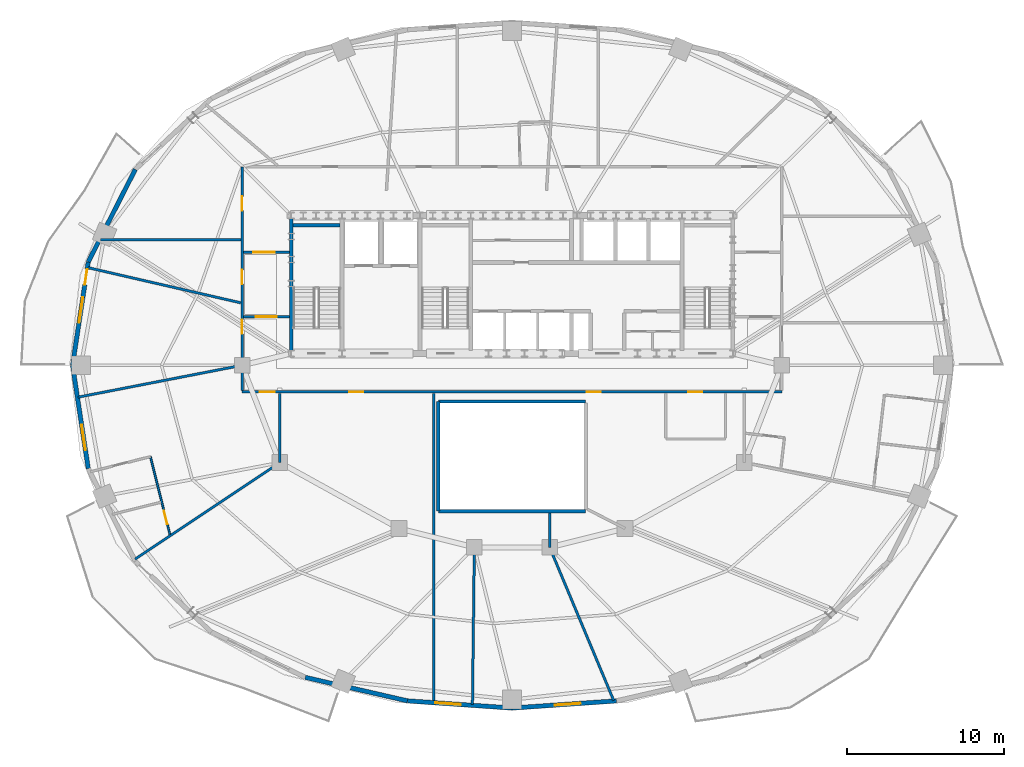
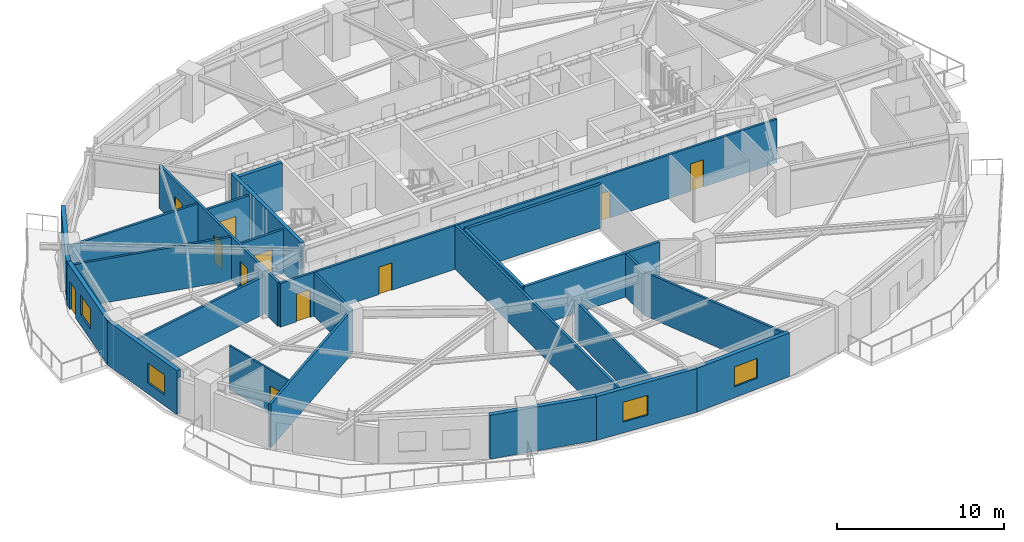
# One storey, part 4 of 10: 25 walls, 11 doors, 4 windows, 15 openings.
"""IFC4 building model written with IfcOpenShell, lengths in metres."""

from ifc_helpers import new_model, si_unit, direction, frame, frame_2d, origin, place, context, subcontext, project, spatial, rectangle, extrude, material, layer, layer_set, type_object, element, fill, save


model = new_model("IFC4")

# Units and contexts
model_context = context("Model", 3, precision=1e-05, world=origin(), true_north=direction((0.0, 1.0)))
body_context = subcontext(model_context, "Body", "Model", "MODEL_VIEW")
ifc_project = project(units=[si_unit("LENGTHUNIT", "METRE"), si_unit("AREAUNIT", "SQUARE_METRE"), si_unit("VOLUMEUNIT", "CUBIC_METRE"), si_unit("PLANEANGLEUNIT", "RADIAN"), si_unit("MASSUNIT", "GRAM", prefix="KILO")], contexts=[model_context])

# Site, building, storey
site_placement = place(None, origin())
site = spatial("IfcSite", under=ifc_project, at=site_placement, CompositionType="ELEMENT")
building_placement = place(site_placement, origin())
building = spatial("IfcBuilding", under=site, at=building_placement, Name="Haldorwick Loom Tower", CompositionType="ELEMENT")
storey_placement = place(building_placement, frame((0.0, 0.0, 193.449951171875)))
storey = spatial("IfcBuildingStorey", under=building, at=storey_placement, Name="L52", CompositionType="ELEMENT", Elevation=193.449951171875)

# Wall
ifc_material_1 = material(Name="Pressed Clay Face Brick and Insulated Masonry Backup Assembly", Category="masonry")
ifc_layer_1 = layer(ifc_material_1, 0.280029296875, Name="Pressed Clay Face Brick and Insulated Masonry Backup Assembly", Category="masonry")
ifc_layer_set_1 = layer_set([ifc_layer_1], Name="Pressed Clay Face Brick and Insulated Masonry Backup Assembly")
wall_type_1 = type_object("IfcWallType", Name="ARC-WL-EXT280", PredefinedType="STANDARD", material=ifc_layer_set_1)
wall_1_placement = place(storey_placement, frame((11.994384765625, 38.4853515625, 0.0), z_axis=(0.0, 0.0, 1.0), x_axis=(-0.453032066879, -0.89149422117, 0.0)))
element("IfcWall", 1, at=wall_1_placement, inside=storey, type_object=wall_type_1, Name="L52 Brick Pier and Spandrel Wall 11", PredefinedType="STANDARD", context=body_context, shape_type="SweptSolid", body=[
    extrude(rectangle(XDim=6.618896484375, YDim=0.280029296875, at=frame_2d((3.3095703125, 0.0))), origin(), (0.0, 0.0, 1.0), 2.64111328125),
])

# Wall, openings, door, window
wall_2_placement = place(storey_placement, frame((8.995849609375, 32.584716796875, 0.0), z_axis=(0.0, 0.0, 1.0), x_axis=(-0.150467697578, -0.988614926038, 0.0)))
wall_2 = element("IfcWall", 2, at=wall_2_placement, inside=storey, type_object=wall_type_1, Name="L52 Brick Pier and Spandrel Wall 12", PredefinedType="STANDARD", context=body_context, shape_type="SweptSolid", body=[
    extrude(rectangle(XDim=6.66064453125, YDim=0.280029296875, at=frame_2d((3.330322265625, 0.0))), origin(), (0.0, 0.0, 1.0), 3.2099609375),
])
opening_1_placement = place(wall_2_placement, frame((0.4599609375, 0.0, 0.0)))
opening_1 = element("IfcOpeningElement", 3, at=opening_1_placement, cuts=wall_2, Name="Opening D-BL10", PredefinedType="OPENING", context=body_context, shape_type="SweptSolid", body=[
    extrude(rectangle(XDim=1.0, YDim=2.0400390625, at=frame_2d((0.5, 1.02001953125))), frame((0.0, 0.14990234375, 0.0), z_axis=(0.0, -1.0, 0.0), x_axis=(1.0, 0.0, 0.0)), (0.0, 0.0, 1.0), 0.300048828125),
])
opening_2_placement = place(wall_2_placement, frame((2.2646484375, 0.0, 0.800048828125)))
opening_2 = element("IfcOpeningElement", 4, at=opening_2_placement, cuts=wall_2, Name="Opening W-01B", PredefinedType="OPENING", context=body_context, shape_type="SweptSolid", body=[
    extrude(rectangle(XDim=1.64990234375, YDim=1.449951171875, at=frame_2d((0.824951171875, 0.72509765625))), frame((0.0, 0.14990234375, 0.0), z_axis=(0.0, -1.0, 0.0), x_axis=(1.0, 0.0, 0.0)), (0.0, 0.0, 1.0), 0.300048828125),
])
ifc_material_2 = material(Name="Thermally Broken Anodized Aluminium Curtain Wall Framing", Category="aluminium")
door_type_1 = type_object("IfcDoorType", Name="ARC-DR-BAL100", OperationType="NOTDEFINED", PredefinedType="DOOR", material=ifc_material_2)
door_1_placement = place(opening_1_placement, origin())
door_1 = element("IfcDoor", 5, at=door_1_placement, inside=storey, type_object=door_type_1, Name="L52 Outdoor Terrace Door SLB-L52-BAL_WNW", OperationType="SINGLE_SWING_RIGHT", OverallHeight=2.0400390625, OverallWidth=1.0, PredefinedType="DOOR", context=body_context, shape_type="SweptSolid", body=[
    extrude(rectangle(XDim=1.0, YDim=2.0400390625, at=frame_2d((0.5, 1.02001953125))), frame((0.0, 0.02490234375, 0.0), z_axis=(0.0, -1.0, 0.0), x_axis=(1.0, 0.0, 0.0)), (0.0, 0.0, 1.0), 0.050048828125),
])
fill(opening_1, door_1)
ifc_material_3 = material(Name="Triple-Glazed Low-E Argon Insulated Glazing Unit", Category="glass")
window_type = type_object("IfcWindowType", Name="ARC-WIN-W165", PartitioningType="SINGLE_PANEL", PredefinedType="WINDOW", material=ifc_material_3)
window_1_placement = place(opening_2_placement, origin())
window_1 = element("IfcWindow", 6, at=window_1_placement, inside=storey, type_object=window_type, Name="L52 Deep-Set Zone 7A Window 12", OverallHeight=1.449951171875, OverallWidth=1.64990234375, PartitioningType="SINGLE_PANEL", PredefinedType="WINDOW", context=body_context, shape_type="SweptSolid", body=[
    extrude(rectangle(XDim=1.64990234375, YDim=1.449951171875, at=frame_2d((0.824951171875, 0.72509765625))), frame((0.0, 0.030029296875, 0.0), z_axis=(0.0, -1.0, 0.0), x_axis=(1.0, 0.0, 0.0)), (0.0, 0.0, 1.0), 0.06005859375),
])
fill(opening_2, window_1)

# Wall, opening, window
wall_3_placement = place(storey_placement, frame((7.99365234375, 26.0, 0.0), z_axis=(0.0, 0.0, 1.0), x_axis=(0.150467697578, -0.988614926038, 0.0)))
wall_3 = element("IfcWall", 7, at=wall_3_placement, inside=storey, type_object=wall_type_1, Name="L52 Brick Pier and Spandrel Wall 13", PredefinedType="STANDARD", context=body_context, shape_type="SweptSolid", body=[
    extrude(rectangle(XDim=6.66064453125, YDim=0.280029296875, at=frame_2d((3.330322265625, 0.0))), origin(), (0.0, 0.0, 1.0), 3.2099609375),
])
opening_3_placement = place(wall_3_placement, frame((3.83740234375, 0.0, 0.800048828125)))
opening_3 = element("IfcOpeningElement", 8, at=opening_3_placement, cuts=wall_3, Name="Opening W-01B", PredefinedType="OPENING", context=body_context, shape_type="SweptSolid", body=[
    extrude(rectangle(XDim=1.64990234375, YDim=1.449951171875, at=frame_2d((0.824951171875, 0.72509765625))), frame((0.0, 0.14990234375, 0.0), z_axis=(0.0, -1.0, 0.0), x_axis=(1.0, 0.0, 0.0)), (0.0, 0.0, 1.0), 0.300048828125),
])
window_2_placement = place(opening_3_placement, origin())
window_2 = element("IfcWindow", 9, at=window_2_placement, inside=storey, type_object=window_type, Name="L52 Deep-Set Zone 7A Window 13", OverallHeight=1.449951171875, OverallWidth=1.64990234375, PartitioningType="SINGLE_PANEL", PredefinedType="WINDOW", context=body_context, shape_type="SweptSolid", body=[
    extrude(rectangle(XDim=1.64990234375, YDim=1.449951171875, at=frame_2d((0.824951171875, 0.72509765625))), frame((0.0, 0.030029296875, 0.0), z_axis=(0.0, -1.0, 0.0), x_axis=(1.0, 0.0, 0.0)), (0.0, 0.0, 1.0), 0.06005859375),
])
fill(opening_3, window_2)

# Wall
wall_4_placement = place(storey_placement, frame((22.82861328125, 6.109130859375, 0.0), z_axis=(0.0, 0.0, 1.0), x_axis=(0.974557343474, -0.224138315065, 0.0)))
element("IfcWall", 10, at=wall_4_placement, inside=storey, type_object=wall_type_1, Name="L52 Brick Pier and Spandrel Wall 17", PredefinedType="STANDARD", context=body_context, shape_type="SweptSolid", body=[
    extrude(rectangle(XDim=6.676025390625, YDim=0.280029296875, at=frame_2d((3.337890625, 0.0))), origin(), (0.0, 0.0, 1.0), 3.2099609375),
])

# Wall, opening, window
wall_5_placement = place(storey_placement, frame((29.334716796875, 4.61279296875, 0.0), z_axis=(0.0, 0.0, 1.0), x_axis=(0.99764992135, -0.068517402386, 0.0)))
wall_5 = element("IfcWall", 11, at=wall_5_placement, inside=storey, type_object=wall_type_1, Name="L52 Brick Pier and Spandrel Wall 18", PredefinedType="STANDARD", context=body_context, shape_type="SweptSolid", body=[
    extrude(rectangle(XDim=6.680908203125, YDim=0.280029296875, at=frame_2d((3.34033203125, 0.0))), origin(), (0.0, 0.0, 1.0), 3.2099609375),
])
opening_4_placement = place(wall_5_placement, frame((1.7705078125, 0.0, 0.800048828125)))
opening_4 = element("IfcOpeningElement", 12, at=opening_4_placement, cuts=wall_5, Name="Opening W-01B", PredefinedType="OPENING", context=body_context, shape_type="SweptSolid", body=[
    extrude(rectangle(XDim=1.64990234375, YDim=1.449951171875, at=frame_2d((0.824951171875, 0.72509765625))), frame((0.0, 0.14990234375, 0.0), z_axis=(0.0, -1.0, 0.0), x_axis=(1.0, 0.0, 0.0)), (0.0, 0.0, 1.0), 0.300048828125),
])
window_3_placement = place(opening_4_placement, origin())
window_3 = element("IfcWindow", 13, at=window_3_placement, inside=storey, type_object=window_type, Name="L52 Deep-Set Zone 7A Window 18", OverallHeight=1.449951171875, OverallWidth=1.64990234375, PartitioningType="SINGLE_PANEL", PredefinedType="WINDOW", context=body_context, shape_type="SweptSolid", body=[
    extrude(rectangle(XDim=1.64990234375, YDim=1.449951171875, at=frame_2d((0.824951171875, 0.72509765625))), frame((0.0, 0.030029296875, 0.0), z_axis=(0.0, -1.0, 0.0), x_axis=(1.0, 0.0, 0.0)), (0.0, 0.0, 1.0), 0.06005859375),
])
fill(opening_4, window_3)

wall_6_placement = place(storey_placement, frame((36.0, 4.155029296875, 0.0), z_axis=(0.0, 0.0, 1.0), x_axis=(0.99764992135, 0.068517402386, 0.0)))
wall_6 = element("IfcWall", 14, at=wall_6_placement, inside=storey, type_object=wall_type_1, Name="L52 Brick Pier and Spandrel Wall 19", PredefinedType="STANDARD", context=body_context, shape_type="SweptSolid", body=[
    extrude(rectangle(XDim=6.680908203125, YDim=0.280029296875, at=frame_2d((3.34033203125, 0.0))), origin(), (0.0, 0.0, 1.0), 3.2099609375),
])
opening_5_placement = place(wall_6_placement, frame((2.72412109375, 0.0, 0.800048828125)))
opening_5 = element("IfcOpeningElement", 15, at=opening_5_placement, cuts=wall_6, Name="Opening W-01B", PredefinedType="OPENING", context=body_context, shape_type="SweptSolid", body=[
    extrude(rectangle(XDim=1.64990234375, YDim=1.449951171875, at=frame_2d((0.824951171875, 0.72509765625))), frame((0.0, 0.14990234375, 0.0), z_axis=(0.0, -1.0, 0.0), x_axis=(1.0, 0.0, 0.0)), (0.0, 0.0, 1.0), 0.300048828125),
])
window_4_placement = place(opening_5_placement, origin())
window_4 = element("IfcWindow", 16, at=window_4_placement, inside=storey, type_object=window_type, Name="L52 Deep-Set Zone 7A Window 19", OverallHeight=1.449951171875, OverallWidth=1.64990234375, PartitioningType="SINGLE_PANEL", PredefinedType="WINDOW", context=body_context, shape_type="SweptSolid", body=[
    extrude(rectangle(XDim=1.64990234375, YDim=1.449951171875, at=frame_2d((0.824951171875, 0.72509765625))), frame((0.0, 0.030029296875, 0.0), z_axis=(0.0, -1.0, 0.0), x_axis=(1.0, 0.0, 0.0)), (0.0, 0.0, 1.0), 0.06005859375),
])
fill(opening_5, window_4)

# Wall, openings, doors
ifc_material_4 = material(Name="Fire-Rated Type X Gypsum Stud Assembly EI 60")
ifc_layer_2 = layer(ifc_material_4, 0.159912109375, Name="Fire-Rated Type X Gypsum Stud Assembly EI 60")
ifc_layer_set_2 = layer_set([ifc_layer_2], Name="Fire-Rated Type X Gypsum Stud Assembly EI 60")
wall_type_2 = type_object("IfcWallType", Name="ARC-WL-FIRE160", PredefinedType="PARTITIONING", material=ifc_layer_set_2)
wall_7_placement = place(storey_placement, frame((18.800048828125, 24.300048828125, 0.0), z_axis=(0.0, 0.0, 1.0), x_axis=(1.0, 0.0, 0.0)))
wall_7 = element("IfcWall", 17, at=wall_7_placement, inside=storey, type_object=wall_type_2, Name="L52 Residential Fire Partition L52-CR-SP", PredefinedType="PARTITIONING", context=body_context, shape_type="SweptSolid", body=[
    extrude(rectangle(XDim=34.39990234375, YDim=0.159912109375, at=frame_2d((17.199951171875, 0.0))), origin(), (0.0, 0.0, 1.0), 3.195068359375),
])
opening_6_placement = place(wall_7_placement, frame((21.9619140625, 0.0, 0.0)))
opening_6 = element("IfcOpeningElement", 18, at=opening_6_placement, cuts=wall_7, Name="Opening D-FD60A", PredefinedType="OPENING", context=body_context, shape_type="SweptSolid", body=[
    extrude(rectangle(XDim=0.89990234375, YDim=2.0, at=frame_2d((0.449951171875, 1.0))), frame((0.0, 0.08984375, 0.0), z_axis=(0.0, -1.0, 0.0), x_axis=(1.0, 0.0, 0.0)), (0.0, 0.0, 1.0), 0.179931640625),
])
opening_7_placement = place(wall_7_placement, frame((6.826904296875, 0.0, 0.0)))
opening_7 = element("IfcOpeningElement", 19, at=opening_7_placement, cuts=wall_7, Name="Opening D-FD60A", PredefinedType="OPENING", context=body_context, shape_type="SweptSolid", body=[
    extrude(rectangle(XDim=0.89990234375, YDim=2.0, at=frame_2d((0.449951171875, 1.0))), frame((0.0, 0.08984375, 0.0), z_axis=(0.0, -1.0, 0.0), x_axis=(1.0, 0.0, 0.0)), (0.0, 0.0, 1.0), 0.179931640625),
])
opening_8_placement = place(wall_7_placement, frame((28.437255859375, 0.0, 0.0)))
opening_8 = element("IfcOpeningElement", 20, at=opening_8_placement, cuts=wall_7, Name="Opening D-FD60A", PredefinedType="OPENING", context=body_context, shape_type="SweptSolid", body=[
    extrude(rectangle(XDim=0.89990234375, YDim=2.0, at=frame_2d((0.449951171875, 1.0))), frame((0.0, 0.08984375, 0.0), z_axis=(0.0, -1.0, 0.0), x_axis=(1.0, 0.0, 0.0)), (0.0, 0.0, 1.0), 0.179931640625),
])
opening_9_placement = place(wall_7_placement, frame((1.130859375, 0.0, 0.0)))
opening_9 = element("IfcOpeningElement", 21, at=opening_9_placement, cuts=wall_7, Name="Opening D-FL95", PredefinedType="OPENING", context=body_context, shape_type="SweptSolid", body=[
    extrude(rectangle(XDim=0.949951171875, YDim=2.0400390625, at=frame_2d((0.47509765625, 1.02001953125))), frame((0.0, 0.08984375, 0.0), z_axis=(0.0, -1.0, 0.0), x_axis=(1.0, 0.0, 0.0)), (0.0, 0.0, 1.0), 0.179931640625),
])
ifc_material_5 = material(Name="Hollow Steel Fire Door Assembly", Category="steel")
door_type_2 = type_object("IfcDoorType", Name="ARC-DR-FD60-90", OperationType="NOTDEFINED", PredefinedType="DOOR", material=ifc_material_5)
door_2_placement = place(opening_6_placement, origin())
door_2 = element("IfcDoor", 22, at=door_2_placement, inside=storey, type_object=door_type_2, Name="L52 L52 Central Residential Corridor to Community Library Hall 1 Door", OperationType="SINGLE_SWING_LEFT", OverallHeight=2.0, OverallWidth=0.89990234375, PredefinedType="DOOR", context=body_context, shape_type="SweptSolid", body=[
    extrude(rectangle(XDim=0.89990234375, YDim=2.0, at=frame_2d((0.449951171875, 1.0))), frame((0.0, 0.02490234375, 0.0), z_axis=(0.0, -1.0, 0.0), x_axis=(1.0, 0.0, 0.0)), (0.0, 0.0, 1.0), 0.050048828125),
])
fill(opening_6, door_2)
door_3_placement = place(opening_7_placement, origin())
door_3 = element("IfcDoor", 23, at=door_3_placement, inside=storey, type_object=door_type_2, Name="L52 L52 Central Residential Corridor to Community Library Hall 2 Door", OperationType="SINGLE_SWING_RIGHT", OverallHeight=2.0, OverallWidth=0.89990234375, PredefinedType="DOOR", context=body_context, shape_type="SweptSolid", body=[
    extrude(rectangle(XDim=0.89990234375, YDim=2.0, at=frame_2d((0.449951171875, 1.0))), frame((0.0, 0.02490234375, 0.0), z_axis=(0.0, -1.0, 0.0), x_axis=(1.0, 0.0, 0.0)), (0.0, 0.0, 1.0), 0.050048828125),
])
fill(opening_7, door_3)
door_4_placement = place(opening_8_placement, origin())
door_4 = element("IfcDoor", 24, at=door_4_placement, inside=storey, type_object=door_type_2, Name="L52 L52 Central Residential Corridor to Common Accessible WC Door", OperationType="SINGLE_SWING_LEFT", OverallHeight=2.0, OverallWidth=0.89990234375, PredefinedType="DOOR", context=body_context, shape_type="SweptSolid", body=[
    extrude(rectangle(XDim=0.89990234375, YDim=2.0, at=frame_2d((0.449951171875, 1.0))), frame((0.0, 0.02490234375, 0.0), z_axis=(0.0, -1.0, 0.0), x_axis=(1.0, 0.0, 0.0)), (0.0, 0.0, 1.0), 0.050048828125),
])
fill(opening_8, door_4)
ifc_material_6 = material(Name="Solid Core Birch Architectural Door")
door_type_3 = type_object("IfcDoorType", Name="ARC-DR-FLAT95", OperationType="NOTDEFINED", PredefinedType="DOOR", material=ifc_material_6)
door_5_placement = place(opening_9_placement, origin())
door_5 = element("IfcDoor", 25, at=door_5_placement, inside=storey, type_object=door_type_3, Name="L52 L52 Central Residential Corridor to Unit 52A Kitchen and Living Room", OperationType="SINGLE_SWING_RIGHT", OverallHeight=2.0400390625, OverallWidth=0.949951171875, PredefinedType="DOOR", context=body_context, shape_type="SweptSolid", body=[
    extrude(rectangle(XDim=0.949951171875, YDim=2.0400390625, at=frame_2d((0.47509765625, 1.02001953125))), frame((0.0, 0.02490234375, 0.0), z_axis=(0.0, -1.0, 0.0), x_axis=(1.0, 0.0, 0.0)), (0.0, 0.0, 1.0), 0.050048828125),
])
fill(opening_9, door_5)

wall_8_placement = place(storey_placement, frame((18.800048828125, 24.383056640625, 0.0), z_axis=(0.0, 0.0, 1.0), x_axis=(0.0, 1.0, 0.0)))
wall_8 = element("IfcWall", 26, at=wall_8_placement, inside=storey, type_object=wall_type_2, Name="L52 Residential Fire Partition L52-CR-W0", PredefinedType="PARTITIONING", context=body_context, shape_type="SweptSolid", body=[
    extrude(rectangle(XDim=14.266845703125, YDim=0.159912109375, at=frame_2d((7.13330078125, 0.0))), origin(), (0.0, 0.0, 1.0), 3.195068359375),
])
opening_10_placement = place(wall_8_placement, frame((11.476318359375, 0.0, 0.0)))
opening_10 = element("IfcOpeningElement", 27, at=opening_10_placement, cuts=wall_8, Name="Opening D-FD60A", PredefinedType="OPENING", context=body_context, shape_type="SweptSolid", body=[
    extrude(rectangle(XDim=0.89990234375, YDim=2.0, at=frame_2d((0.449951171875, 1.0))), frame((0.0, 0.08984375, 0.0), z_axis=(0.0, -1.0, 0.0), x_axis=(1.0, 0.0, 0.0)), (0.0, 0.0, 1.0), 0.179931640625),
])
opening_11_placement = place(wall_8_placement, frame((6.794921875, 0.0, 0.0)))
opening_11 = element("IfcOpeningElement", 28, at=opening_11_placement, cuts=wall_8, Name="Opening D-FD60A", PredefinedType="OPENING", context=body_context, shape_type="SweptSolid", body=[
    extrude(rectangle(XDim=0.89990234375, YDim=2.0, at=frame_2d((0.449951171875, 1.0))), frame((0.0, 0.08984375, 0.0), z_axis=(0.0, -1.0, 0.0), x_axis=(1.0, 0.0, 0.0)), (0.0, 0.0, 1.0), 0.179931640625),
])
opening_12_placement = place(wall_8_placement, frame((3.619873046875, 0.0, 0.0)))
opening_12 = element("IfcOpeningElement", 29, at=opening_12_placement, cuts=wall_8, Name="Opening D-FD60A", PredefinedType="OPENING", context=body_context, shape_type="SweptSolid", body=[
    extrude(rectangle(XDim=0.89990234375, YDim=2.0, at=frame_2d((0.449951171875, 1.0))), frame((0.0, 0.08984375, 0.0), z_axis=(0.0, -1.0, 0.0), x_axis=(1.0, 0.0, 0.0)), (0.0, 0.0, 1.0), 0.179931640625),
])
door_6_placement = place(opening_10_placement, frame((0.89990234375, 0.0, 0.0), z_axis=(0.0, 0.0, 1.0), x_axis=(-1.0, 0.0, 0.0)))
door_6 = element("IfcDoor", 30, at=door_6_placement, inside=storey, type_object=door_type_2, Name="L52 Community Teaching Classroom 4 to L52 North Residential Corridor Doo", OperationType="SINGLE_SWING_LEFT", OverallHeight=2.0, OverallWidth=0.89990234375, PredefinedType="DOOR", context=body_context, shape_type="SweptSolid", body=[
    extrude(rectangle(XDim=0.89990234375, YDim=2.0, at=frame_2d((0.449951171875, 1.0))), frame((0.0, 0.02490234375, 0.0), z_axis=(0.0, -1.0, 0.0), x_axis=(1.0, 0.0, 0.0)), (0.0, 0.0, 1.0), 0.050048828125),
])
fill(opening_10, door_6)
door_7_placement = place(opening_11_placement, frame((0.89990234375, 0.0, 0.0), z_axis=(0.0, 0.0, 1.0), x_axis=(-1.0, 0.0, 0.0)))
door_7 = element("IfcDoor", 31, at=door_7_placement, inside=storey, type_object=door_type_2, Name="L52 Resident Work Office 2 to L52 West Residential Corridor Door", OperationType="SINGLE_SWING_RIGHT", OverallHeight=2.0, OverallWidth=0.89990234375, PredefinedType="DOOR", context=body_context, shape_type="SweptSolid", body=[
    extrude(rectangle(XDim=0.89990234375, YDim=2.0, at=frame_2d((0.449951171875, 1.0))), frame((0.0, 0.02490234375, 0.0), z_axis=(0.0, -1.0, 0.0), x_axis=(1.0, 0.0, 0.0)), (0.0, 0.0, 1.0), 0.050048828125),
])
fill(opening_11, door_7)
door_8_placement = place(opening_12_placement, frame((0.89990234375, 0.0, 0.0), z_axis=(0.0, 0.0, 1.0), x_axis=(-1.0, 0.0, 0.0)))
door_8 = element("IfcDoor", 32, at=door_8_placement, inside=storey, type_object=door_type_2, Name="L52 Resident Work Office 1 to L52 Central Residential Corridor Door", OperationType="SINGLE_SWING_LEFT", OverallHeight=2.0, OverallWidth=0.89990234375, PredefinedType="DOOR", context=body_context, shape_type="SweptSolid", body=[
    extrude(rectangle(XDim=0.89990234375, YDim=2.0, at=frame_2d((0.449951171875, 1.0))), frame((0.0, 0.02490234375, 0.0), z_axis=(0.0, -1.0, 0.0), x_axis=(1.0, 0.0, 0.0)), (0.0, 0.0, 1.0), 0.050048828125),
])
fill(opening_12, door_8)

# Wall, opening, door
wall_9_placement = place(storey_placement, frame((18.883056640625, 29.10009765625, 0.0), z_axis=(0.0, 0.0, 1.0), x_axis=(1.0, 0.0, 0.0)))
wall_9 = element("IfcWall", 33, at=wall_9_placement, inside=storey, type_object=wall_type_2, Name="L52 Residential Fire Partition L52-CR-WSJ", PredefinedType="PARTITIONING", context=body_context, shape_type="SweptSolid", body=[
    extrude(rectangle(XDim=2.923828125, YDim=0.159912109375, at=frame_2d((1.4619140625, 0.0))), origin(), (0.0, 0.0, 1.0), 3.195068359375),
])
opening_13_placement = place(wall_9_placement, frame((0.787109375, 0.0, 0.0)))
opening_13 = element("IfcOpeningElement", 34, at=opening_13_placement, cuts=wall_9, Name="Opening D-CR15", PredefinedType="OPENING", context=body_context, shape_type="SweptSolid", body=[
    extrude(rectangle(XDim=1.35009765625, YDim=2.0, at=frame_2d((0.675048828125, 1.0))), frame((0.0, 0.08984375, 0.0), z_axis=(0.0, -1.0, 0.0), x_axis=(1.0, 0.0, 0.0)), (0.0, 0.0, 1.0), 0.179931640625),
])
ifc_material_7 = material(Name="Thermally Broken Anodized Aluminium and Tempered Glass", Category="aluminium")
door_type_4 = type_object("IfcDoorType", Name="ARC-DR-COR150", OperationType="NOTDEFINED", PredefinedType="DOOR", material=ifc_material_7)
door_9_placement = place(opening_13_placement, origin())
door_9 = element("IfcDoor", 35, at=door_9_placement, inside=storey, type_object=door_type_4, Name="L52 L52 West Residential Corridor to L52 Central Residential Corridor Do", OperationType="DOUBLE_DOOR_SINGLE_SWING", OverallHeight=2.0, OverallWidth=1.35009765625, PredefinedType="DOOR", context=body_context, shape_type="SweptSolid", body=[
    extrude(rectangle(XDim=1.35009765625, YDim=2.0, at=frame_2d((0.675048828125, 1.0))), frame((0.0, 0.02490234375, 0.0), z_axis=(0.0, -1.0, 0.0), x_axis=(1.0, 0.0, 0.0)), (0.0, 0.0, 1.0), 0.050048828125),
])
fill(opening_13, door_9)

wall_10_placement = place(storey_placement, frame((18.883056640625, 33.199951171875, 0.0), z_axis=(0.0, 0.0, 1.0), x_axis=(1.0, 0.0, 0.0)))
wall_10 = element("IfcWall", 36, at=wall_10_placement, inside=storey, type_object=wall_type_2, Name="L52 Residential Fire Partition L52-CR-WNJ", PredefinedType="PARTITIONING", context=body_context, shape_type="SweptSolid", body=[
    extrude(rectangle(XDim=2.923828125, YDim=0.159912109375, at=frame_2d((1.4619140625, 0.0))), origin(), (0.0, 0.0, 1.0), 3.195068359375),
])
opening_14_placement = place(wall_10_placement, frame((0.637939453125, 0.0, 0.0)))
opening_14 = element("IfcOpeningElement", 37, at=opening_14_placement, cuts=wall_10, Name="Opening D-CR15", PredefinedType="OPENING", context=body_context, shape_type="SweptSolid", body=[
    extrude(rectangle(XDim=1.35009765625, YDim=2.0, at=frame_2d((0.675048828125, 1.0))), frame((0.0, 0.08984375, 0.0), z_axis=(0.0, -1.0, 0.0), x_axis=(1.0, 0.0, 0.0)), (0.0, 0.0, 1.0), 0.179931640625),
])
door_10_placement = place(opening_14_placement, origin())
door_10 = element("IfcDoor", 38, at=door_10_placement, inside=storey, type_object=door_type_4, Name="L52 L52 North Residential Corridor to L52 West Residential Corridor Door", OperationType="DOUBLE_DOOR_SINGLE_SWING", OverallHeight=2.0, OverallWidth=1.35009765625, PredefinedType="DOOR", context=body_context, shape_type="SweptSolid", body=[
    extrude(rectangle(XDim=1.35009765625, YDim=2.0, at=frame_2d((0.675048828125, 1.0))), frame((0.0, 0.02490234375, 0.0), z_axis=(0.0, -1.0, 0.0), x_axis=(1.0, 0.0, 0.0)), (0.0, 0.0, 1.0), 0.050048828125),
])
fill(opening_14, door_10)

# Walls
wall_11_placement = place(storey_placement, frame((38.39990234375, 14.39990234375, 0.0), z_axis=(0.0, 0.0, 1.0), x_axis=(0.385749670427, -0.922603485668, 0.0)))
element("IfcWall", 39, at=wall_11_placement, inside=storey, type_object=wall_type_2, Name="L52 Residential Fire Partition L52-ICR-05", PredefinedType="PARTITIONING", context=body_context, shape_type="SweptSolid", body=[
    extrude(rectangle(XDim=10.5732421875, YDim=0.159912109375, at=frame_2d((5.28662109375, 0.0))), origin(), (0.0, 0.0, 1.0), 3.195068359375),
])
wall_12_placement = place(storey_placement, frame((33.60009765625, 14.39990234375, 0.0), z_axis=(0.0, 0.0, 1.0), x_axis=(-0.012052011227, -0.999927371875, 0.0)))
element("IfcWall", 40, at=wall_12_placement, inside=storey, type_object=wall_type_2, Name="L52 Residential Fire Partition L52-ICR-07", PredefinedType="PARTITIONING", context=body_context, shape_type="SweptSolid", body=[
    extrude(rectangle(XDim=10.02734375, YDim=0.159912109375, at=frame_2d((5.013671875, 0.0))), origin(), (0.0, 0.0, 1.0), 2.77197265625),
])
wall_13_placement = place(storey_placement, frame((21.199951171875, 19.800048828125, 0.0), z_axis=(0.0, 0.0, 1.0), x_axis=(-0.831660500222, -0.555284442759, 0.0)))
element("IfcWall", 41, at=wall_13_placement, inside=storey, type_object=wall_type_2, Name="L52 Residential Fire Partition L52-ICR-10", PredefinedType="PARTITIONING", context=body_context, shape_type="SweptSolid", body=[
    extrude(rectangle(XDim=11.087158203125, YDim=0.159912109375, at=frame_2d((5.54345703125, 0.0))), origin(), (0.0, 0.0, 1.0), 3.195068359375),
])
wall_14_placement = place(storey_placement, frame((18.717041015625, 25.98388671875, 0.0), z_axis=(0.0, 0.0, 1.0), x_axis=(-0.98162861955, -0.19080160712, 0.0)))
element("IfcWall", 42, at=wall_14_placement, inside=storey, type_object=wall_type_2, Name="L52 Residential Fire Partition L52-ICR-11", PredefinedType="PARTITIONING", context=body_context, shape_type="SweptSolid", body=[
    extrude(rectangle(XDim=10.562744140625, YDim=0.159912109375, at=frame_2d((5.28125, 0.0))), origin(), (0.0, 0.0, 1.0), 2.77197265625),
])
wall_15_placement = place(storey_placement, frame((31.0, 4.54345703125, 0.0), z_axis=(0.0, 0.0, 1.0), x_axis=(0.0, 1.0, 0.0)))
element("IfcWall", 43, at=wall_15_placement, inside=storey, type_object=wall_type_2, Name="L52 Residential Fire Partition L52-SBP-0", PredefinedType="PARTITIONING", context=body_context, shape_type="SweptSolid", body=[
    extrude(rectangle(XDim=19.673583984375, YDim=0.159912109375, at=frame_2d((9.8369140625, 0.0))), origin(), (0.0, 0.0, 1.0), 3.195068359375),
])
wall_16_placement = place(storey_placement, frame((38.39990234375, 16.596923828125, 0.0), z_axis=(0.0, 0.0, 1.0), x_axis=(0.0, -1.0, 0.0)))
element("IfcWall", 44, at=wall_16_placement, inside=storey, type_object=wall_type_2, Name="L52 Residential Fire Partition L52-ICA-04", PredefinedType="PARTITIONING", context=body_context, shape_type="SweptSolid", body=[
    extrude(rectangle(XDim=2.197021484375, YDim=0.159912109375, at=frame_2d((1.0986328125, 0.0))), origin(), (0.0, 0.0, 1.0), 3.195068359375),
])
wall_17_placement = place(storey_placement, frame((21.199951171875, 24.217041015625, 0.0), z_axis=(0.0, 0.0, 1.0), x_axis=(0.0, -1.0, 0.0)))
element("IfcWall", 45, at=wall_17_placement, inside=storey, type_object=wall_type_2, Name="L52 Residential Fire Partition L52-ICA-09", PredefinedType="PARTITIONING", context=body_context, shape_type="SweptSolid", body=[
    extrude(rectangle(XDim=4.4169921875, YDim=0.159912109375, at=frame_2d((2.20849609375, 0.0))), origin(), (0.0, 0.0, 1.0), 3.195068359375),
])
wall_18_placement = place(storey_placement, frame((9.765625, 34.0, 0.0), z_axis=(0.0, 0.0, 1.0), x_axis=(1.0, 0.0, 0.0)))
element("IfcWall", 46, at=wall_18_placement, inside=storey, type_object=wall_type_2, Name="L52 Residential Fire Partition L52-FLW-16", PredefinedType="PARTITIONING", context=body_context, shape_type="SweptSolid", body=[
    extrude(rectangle(XDim=8.951416015625, YDim=0.159912109375, at=frame_2d((4.4755859375, 0.0))), origin(), (0.0, 0.0, 1.0), 3.195068359375),
])
wall_19_placement = place(storey_placement, frame((18.717041015625, 29.97900390625, 0.0), z_axis=(0.0, 0.0, 1.0), x_axis=(-0.974504799201, 0.224366656019, 0.0)))
element("IfcWall", 47, at=wall_19_placement, inside=storey, type_object=wall_type_2, Name="L52 Suite Split Wall", PredefinedType="PARTITIONING", context=body_context, shape_type="SweptSolid", body=[
    extrude(rectangle(XDim=9.98583984375, YDim=0.159912109375, at=frame_2d((4.992919921875, 0.0))), origin(), (0.0, 0.0, 1.0), 3.195068359375),
])
ifc_material_8 = material(Name="Fire-Rated Type X Gypsum Stud Assembly EI 120")
ifc_layer_3 = layer(ifc_material_8, 0.199951171875, Name="Fire-Rated Type X Gypsum Stud Assembly EI 120")
ifc_layer_set_3 = layer_set([ifc_layer_3], Name="Fire-Rated Type X Gypsum Stud Assembly EI 120")
wall_type_3 = type_object("IfcWallType", Name="ARC-WL-FIRE200", PredefinedType="PARTITIONING", material=ifc_layer_set_3)
for number, where, z_axis, x_axis, name in (
    (48, (31.300048828125, 23.699951171875, 0.0), (0.0, 0.0, 1.0), (1.0, 0.0, 0.0), "L52 Atrium Fire Enclosure Wall N"),
    (49, (40.699951171875, 16.699951171875, 0.0), (0.0, 0.0, 1.0), (-1.0, 0.0, 0.0), "L52 Atrium Fire Enclosure Wall S"),
):
    element("IfcWall", number, at=place(storey_placement, frame(where, z_axis=z_axis, x_axis=x_axis)), inside=storey, type_object=wall_type_3, Name=name, PredefinedType="PARTITIONING", context=body_context, shape_type="SweptSolid", body=[
        extrude(rectangle(XDim=9.39990234375, YDim=0.199951171875, at=frame_2d((4.699951171875, 0.0))), origin(), (0.0, 0.0, 1.0), 3.195068359375),
    ])
wall_20_placement = place(storey_placement, frame((31.300048828125, 16.699951171875, 0.0), z_axis=(0.0, 0.0, 1.0), x_axis=(0.0, 1.0, 0.0)))
element("IfcWall", 50, at=wall_20_placement, inside=storey, type_object=wall_type_3, Name="L52 Atrium Fire Enclosure Wall W", PredefinedType="PARTITIONING", context=body_context, shape_type="SweptSolid", body=[
    extrude(rectangle(XDim=7.0, YDim=0.199951171875, at=frame_2d((3.5, 0.0))), origin(), (0.0, 0.0, 1.0), 3.195068359375),
])

# Wall, opening, door
ifc_material_9 = material(Name="Acoustic Gypsum Stud Assembly STC 55")
ifc_layer_4 = layer(ifc_material_9, 0.1201171875, Name="Acoustic Gypsum Stud Assembly STC 55")
ifc_layer_set_4 = layer_set([ifc_layer_4], Name="Acoustic Gypsum Stud Assembly STC 55")
wall_type_4 = type_object("IfcWallType", Name="ARC-WL-PART120", PredefinedType="PARTITIONING", material=ifc_layer_set_4)
wall_21_placement = place(storey_placement, frame((12.956298828125, 20.175048828125, 0.0), z_axis=(0.0, 0.0, 1.0), x_axis=(0.243402249166, -0.969925432753, 0.0)))
wall_21 = element("IfcWall", 51, at=wall_21_placement, inside=storey, type_object=wall_type_4, Name="L52 Unit 52A Interior Partition", PredefinedType="PARTITIONING", context=body_context, shape_type="SweptSolid", body=[
    extrude(rectangle(XDim=5.103515625, YDim=0.1201171875, at=frame_2d((2.5517578125, 0.0))), origin(), (0.0, 0.0, 1.0), 3.195068359375),
])
opening_15_placement = place(wall_21_placement, frame((3.553955078125, 0.0, 0.0)))
opening_15 = element("IfcOpeningElement", 52, at=opening_15_placement, cuts=wall_21, Name="Opening D-BT88", PredefinedType="OPENING", context=body_context, shape_type="SweptSolid", body=[
    extrude(rectangle(XDim=0.8798828125, YDim=2.02001953125, at=frame_2d((0.43994140625, 1.010009765625))), frame((0.0, 0.070068359375, 0.0), z_axis=(0.0, -1.0, 0.0), x_axis=(1.0, 0.0, 0.0)), (0.0, 0.0, 1.0), 0.14013671875),
])
door_type_5 = type_object("IfcDoorType", Name="ARC-DR-BATH88", OperationType="NOTDEFINED", PredefinedType="DOOR", material=ifc_material_6)
door_11_placement = place(opening_15_placement, origin())
door_11 = element("IfcDoor", 53, at=door_11_placement, inside=storey, type_object=door_type_5, Name="L52 Unit 52A Kitchen and Living Room to Unit 52A Bathroom Door", OperationType="SINGLE_SWING_RIGHT", OverallHeight=2.02001953125, OverallWidth=0.8798828125, PredefinedType="DOOR", context=body_context, shape_type="SweptSolid", body=[
    extrude(rectangle(XDim=0.8798828125, YDim=2.02001953125, at=frame_2d((0.43994140625, 1.010009765625))), frame((0.0, 0.02490234375, 0.0), z_axis=(0.0, -1.0, 0.0), x_axis=(1.0, 0.0, 0.0)), (0.0, 0.0, 1.0), 0.050048828125),
])
fill(opening_15, door_11)

# Walls
ifc_material_10 = material(Name="Concrete C50 (50 MPa)", Category="concrete")
ifc_layer_5 = layer(ifc_material_10, 0.239990234375, Name="Concrete C50 (50 MPa)", Category="concrete")
ifc_layer_set_5 = layer_set([ifc_layer_5], Name="Concrete C50 (50 MPa)")
wall_type_5 = type_object("IfcWallType", Name="STR-WL-SHAFT240", PredefinedType="SHEAR", material=ifc_layer_set_5)
wall_22_placement = place(storey_placement, frame((21.929931640625, 35.346923828125, 0.0), z_axis=(0.0, 0.0, 1.0), x_axis=(0.0, -1.0, 0.0)))
element("IfcWall", 54, at=wall_22_placement, inside=storey, type_object=wall_type_5, Name="L52 Core Shear Wall W", PredefinedType="SHEAR", context=body_context, shape_type="SweptSolid", body=[
    extrude(rectangle(XDim=8.39404296875, YDim=0.239990234375, at=frame_2d((4.197021484375, 0.0))), origin(), (0.0, 0.0, 1.0), 3.449951171875),
])
wall_23_placement = place(storey_placement, frame((22.052978515625, 34.919921875, 0.0), z_axis=(0.0, 0.0, 1.0), x_axis=(1.0, 0.0, 0.0)))
element("IfcWall", 55, at=wall_23_placement, inside=storey, type_object=wall_type_5, Name="L52 Core Shear Wall 1N", PredefinedType="SHEAR", context=body_context, shape_type="SweptSolid", body=[
    extrude(rectangle(XDim=2.994140625, YDim=0.239990234375, at=frame_2d((1.4970703125, 0.0))), origin(), (0.0, 0.0, 1.0), 3.449951171875),
])

save(model, "model.ifc")
